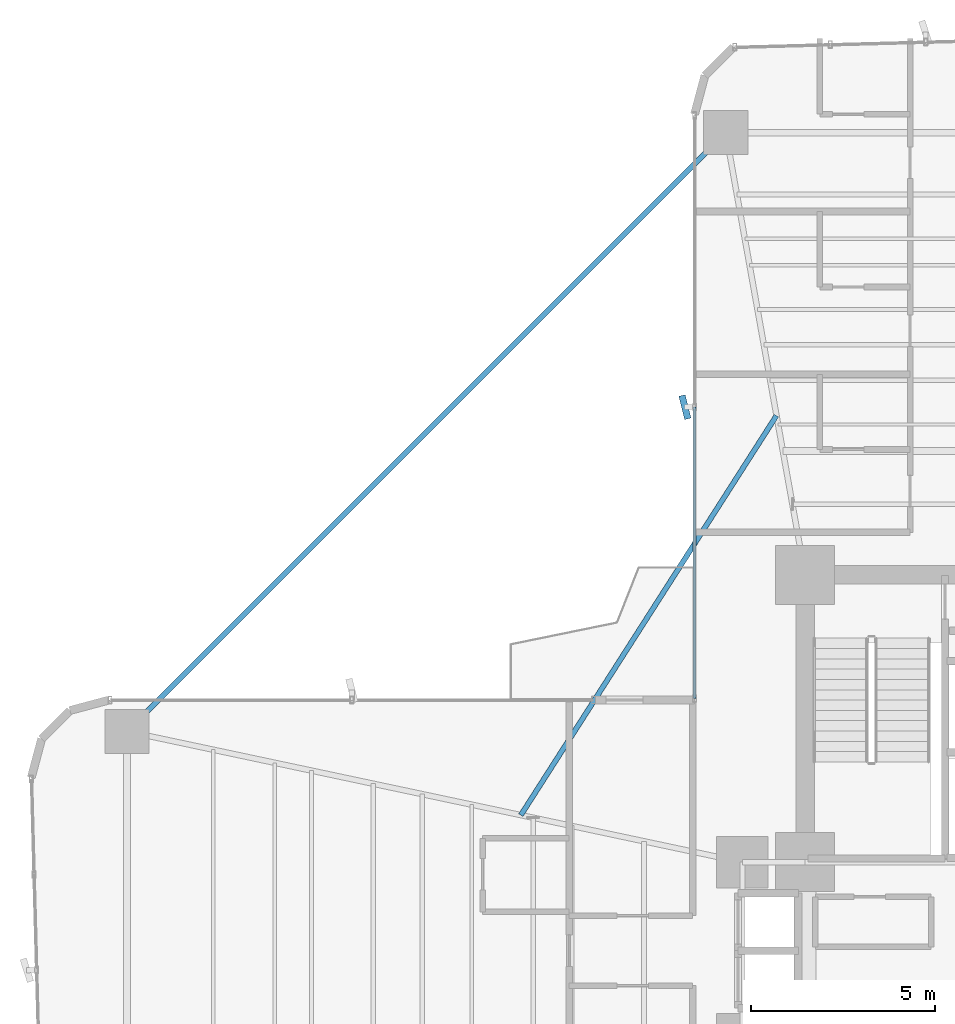
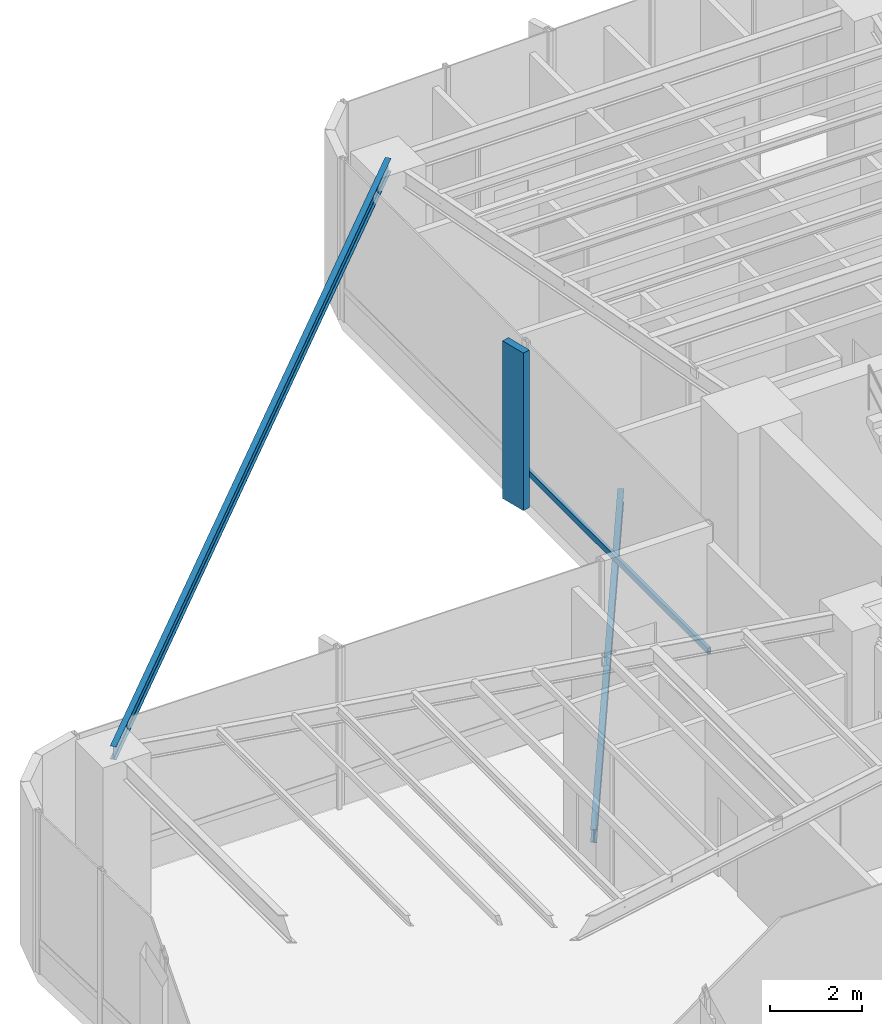
# One storey, part 11 of 20: 2 beams, 2 members, 1 element without a shape of its own.
"""IFC4 building model written with IfcOpenShell, lengths in metres."""

from ifc_helpers import new_model, si_unit, direction, frame, origin, origin_2d, place, context, subcontext, project, spatial, rectangle, hollow_rectangle, i_section, extrude, source, transform, mapped, material, material_profile, profile_set, type_object, element, aggregate, save


model = new_model("IFC4")

# Units and contexts
model_context = context("Model", 3, precision=1e-05, world=origin(), true_north=direction((0.0, 1.0)))
body_context = subcontext(model_context, "Body", "Model", "MODEL_VIEW")
ifc_project = project(units=[si_unit("LENGTHUNIT", "METRE"), si_unit("AREAUNIT", "SQUARE_METRE"), si_unit("VOLUMEUNIT", "CUBIC_METRE"), si_unit("PLANEANGLEUNIT", "RADIAN"), si_unit("MASSUNIT", "GRAM", prefix="KILO")], contexts=[model_context])

# Site, building, storey
site_placement = place(None, origin())
site = spatial("IfcSite", under=ifc_project, at=site_placement, CompositionType="ELEMENT")
building_placement = place(site_placement, origin())
building = spatial("IfcBuilding", under=site, at=building_placement, Name="Sahyath Konkavel Grand Hotel", CompositionType="ELEMENT")
storey_placement = place(building_placement, frame((0.0, 0.0, 46.550048828125)))
storey = spatial("IfcBuildingStorey", under=building, at=storey_placement, Name="L12", CompositionType="ELEMENT", Elevation=46.550048828125)

# Beam
ifc_material_1 = material(Name="Steel E350", Category="steel")
ifc_material_profile_1 = material_profile(ifc_material_1, i_section(OverallWidth=0.139892578125, OverallDepth=0.35009765625, WebThickness=0.008056640625, FlangeThickness=0.01416015625, FilletRadius=0.013916015625, at=origin_2d()), Name="ISMB 350")
ifc_profile_set_1 = profile_set([ifc_material_profile_1], Name="Steel E350")
beam_type_1 = type_object("IfcBeamType", Name="BM-ISMB350", PredefinedType="BEAM", material=ifc_profile_set_1)
shared_shape_1 = source(origin(), body_context, "Body", "SweptSolid", [
    extrude(i_section(OverallWidth=0.139892578125, OverallDepth=0.35009765625, WebThickness=0.008056640625, FlangeThickness=0.01416015625, FilletRadius=0.013916015625, at=origin_2d()), origin(), (0.0, 0.0, 1.0), 22.98095703125),
])
beam_1_placement = place(storey_placement, frame((-5.949951171875, 22.199951171875, 4.0849609375), z_axis=(-0.707106781187, -0.707106781187, 0.0), x_axis=(0.707106781187, -0.707106781187, 0.0)))
element("IfcBeam", 1, at=beam_1_placement, inside=storey, type_object=beam_type_1, Name="L12 Re-Entrant Tie Beam NW", PredefinedType="BEAM", context=body_context, shape_type="MappedRepresentation", body=[
    mapped(shared_shape_1, transform((0.0, 0.0, 0.0), scale=1.0)),
])

# Curtain wall, member
ifc_material_2 = material(Name="Anodised Bronze Aluminium & Low-E Glazing", Category="aluminium")
curtain_wall_type = type_object("IfcCurtainWallType", Name="CW-SKYLOBBY", PredefinedType="NOTDEFINED", material=ifc_material_2)
curtain_wall_placement = place(storey_placement, origin())
curtain_wall = element("IfcCurtainWall", 2, at=curtain_wall_placement, inside=storey, type_object=curtain_wall_type, Name="L12 Unitised Curtain Wall F15", PredefinedType="NOTDEFINED")
ifc_material_3 = material(Name="Anodised Bronze Aluminium", Category="aluminium")
ifc_material_profile_2 = material_profile(ifc_material_3, hollow_rectangle(XDim=0.080078125, YDim=0.159912109375, WallThickness=0.006103515625, at=origin_2d()), Name="RHS 160x80x6")
ifc_profile_set_2 = profile_set([ifc_material_profile_2], Name="Anodised Bronze Aluminium")
member_type_1 = type_object("IfcMemberType", Name="CW-TRN-160", PredefinedType="USERDEFINED", material=ifc_profile_set_2)
shared_shape_2 = source(origin(), body_context, "Body", "SweptSolid", [
    extrude(hollow_rectangle(XDim=0.080078125, YDim=0.159912109375, WallThickness=0.006103515625, at=origin_2d()), origin(), (0.0, 0.0, 1.0), 7.909912109375),
])
member_1_placement = place(storey_placement, frame((-6.800048828125, 14.75, 0.849853515625), z_axis=(0.0, -1.0, 0.0), x_axis=(1.0, 0.0, 0.0)))
member_1 = element("IfcMember", 3, at=member_1_placement, type_object=member_type_1, Name="L12 Curtain Wall Transom F15-1-spandrel", ObjectType="TRANSOM", PredefinedType="USERDEFINED", context=body_context, shape_type="MappedRepresentation", body=[
    mapped(shared_shape_2, transform((0.0, 0.0, 0.0), scale=1.0)),
])

# Beam
ifc_material_profile_3 = material_profile(ifc_material_1, i_section(OverallWidth=0.139892578125, OverallDepth=0.35009765625, WebThickness=0.008056640625, FlangeThickness=0.01416015625, FilletRadius=0.013916015625, at=origin_2d()), Name="ISMB 350")
ifc_profile_set_3 = profile_set([ifc_material_profile_3], Name="Steel E350")
beam_type_2 = type_object("IfcBeamType", Name="BM-BALC-CANT", PredefinedType="BEAM", material=ifc_profile_set_3)
shared_shape_3 = source(origin(), body_context, "Body", "SweptSolid", [
    extrude(i_section(OverallWidth=0.139892578125, OverallDepth=0.35009765625, WebThickness=0.008056640625, FlangeThickness=0.01416015625, FilletRadius=0.013916015625, at=origin_2d()), origin(), (0.0, 0.0, 1.0), 12.871826171875),
])
beam_2_placement = place(storey_placement, frame((-4.573974609375, 14.52001953125, -0.47509765625), z_axis=(-0.539003102535, -0.842303778608, 0.0), x_axis=(0.842303778608, -0.539003102535, 0.0)))
element("IfcBeam", 4, at=beam_2_placement, inside=storey, type_object=beam_type_2, Name="L12 Balcony Cantilever Support Beam NW", PredefinedType="BEAM", context=body_context, shape_type="MappedRepresentation", body=[
    mapped(shared_shape_3, transform((0.0, 0.0, 0.0), scale=1.0)),
])

# Member
ifc_material_4 = material(Name="Warm Buff Sandstone Cladding on Concrete C50/60", Category="masonry")
ifc_material_profile_4 = material_profile(ifc_material_4, rectangle(XDim=0.179931640625, YDim=0.64990234375, at=origin_2d()), Name="FIN 180x650")
ifc_profile_set_4 = profile_set([ifc_material_profile_4], Name="Warm Buff Sandstone Cladding on Concrete C50/60")
member_type_2 = type_object("IfcMemberType", Name="FIN-SANDSTONE-650", PredefinedType="MULLION", material=ifc_profile_set_4)
shared_shape_4 = source(origin(), body_context, "Body", "SweptSolid", [
    extrude(rectangle(XDim=0.179931640625, YDim=0.64990234375, at=origin_2d()), origin(), (0.0, 0.0, 1.0), 4.159912109375),
])
member_2_placement = place(storey_placement, frame((-7.06005859375, 14.75, 0.050048828125), z_axis=(0.0, 0.0, 1.0), x_axis=(0.970084240161, 0.242768546132, 0.0)))
member_2 = element("IfcMember", 5, at=member_2_placement, type_object=member_type_2, Name="L12 Sandstone Vertical Solar Fin FIN F15-1", PredefinedType="MULLION", context=body_context, shape_type="MappedRepresentation", body=[
    mapped(shared_shape_4, transform((0.0, 0.0, 0.0), scale=1.0)),
])

aggregate(curtain_wall, [member_2, member_1])

save(model, "model.ifc")
